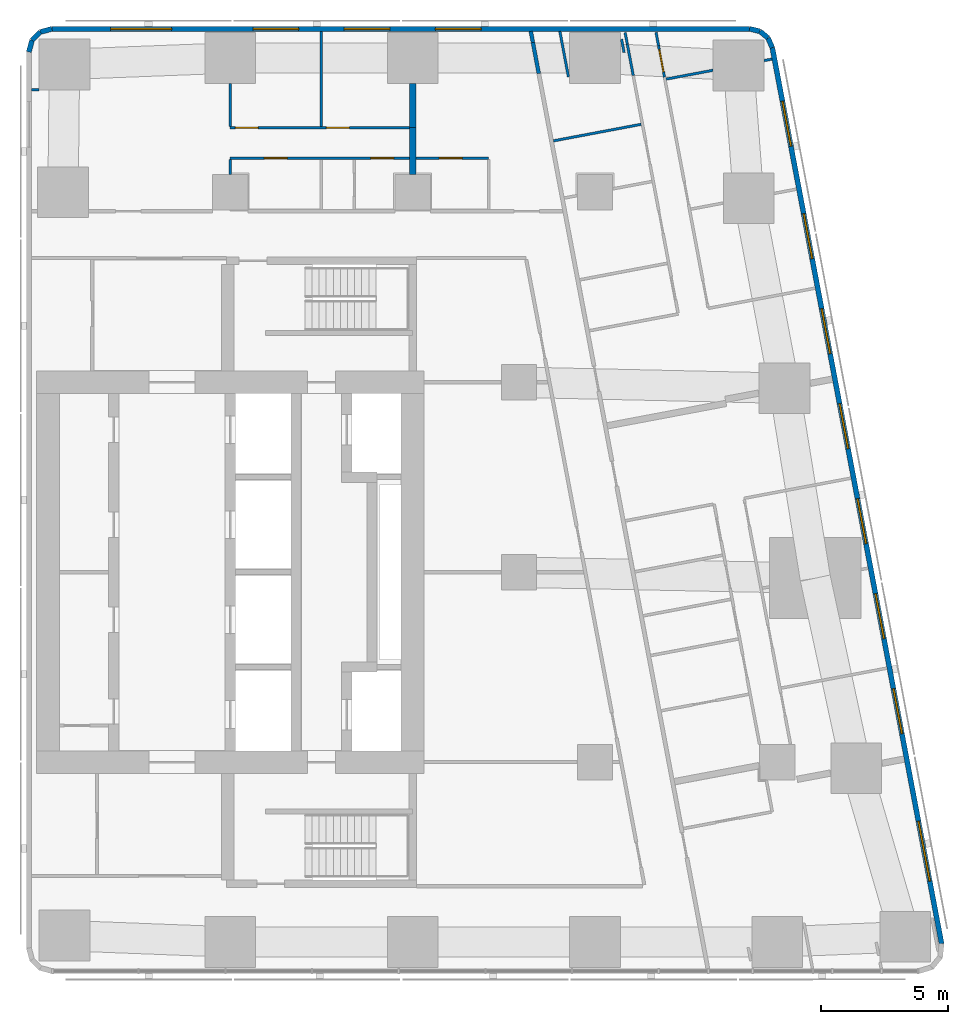
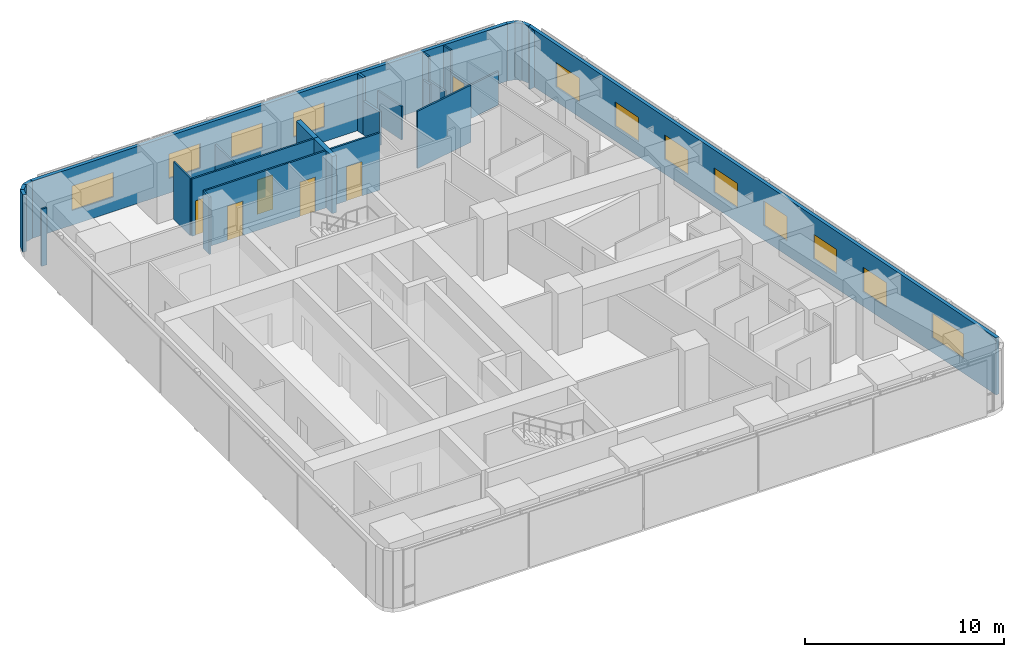
# One storey, part 8 of 11: 28 walls, 12 windows, 6 doors, 18 openings.
"""IFC4 building model written with IfcOpenShell, lengths in metres."""

from ifc_helpers import new_model, si_unit, direction, frame, frame_2d, origin, place, context, subcontext, project, spatial, rectangle, extrude, material, layer, layer_set, type_object, element, fill, save


model = new_model("IFC4")

# Units and contexts
model_context = context("Model", 3, precision=1e-05, world=origin(), true_north=direction((0.0, 1.0)))
body_context = subcontext(model_context, "Body", "Model", "MODEL_VIEW")
ifc_project = project(units=[si_unit("LENGTHUNIT", "METRE"), si_unit("AREAUNIT", "SQUARE_METRE"), si_unit("VOLUMEUNIT", "CUBIC_METRE"), si_unit("PLANEANGLEUNIT", "RADIAN"), si_unit("MASSUNIT", "GRAM", prefix="KILO")], contexts=[model_context])

# Site, building, storey
site_placement = place(None, origin())
site = spatial("IfcSite", under=ifc_project, at=site_placement, CompositionType="ELEMENT")
building_placement = place(site_placement, origin())
building = spatial("IfcBuilding", under=site, at=building_placement, Name="Sheger Commons Tower", CompositionType="ELEMENT")
storey_placement = place(building_placement, frame((0.0, 0.0, 281.60009765625)))
storey = spatial("IfcBuildingStorey", under=building, at=storey_placement, Name="L72", CompositionType="ELEMENT", Elevation=281.60009765625)

# Walls
ifc_material_1 = material(Name="Hollow concrete block masonry, skimmed both sides", Category="masonry")
ifc_layer_1 = layer(ifc_material_1, 0.14990234375)
ifc_layer_set_1 = layer_set([ifc_layer_1], Name="CORRIDOR WALL 150")
wall_type_1 = type_object("IfcWallType", Name="CORRIDOR WALL 150", PredefinedType="SOLIDWALL", material=ifc_layer_set_1)
wall_1_placement = place(storey_placement, frame((33.467041015625, 43.85009765625, 0.0), z_axis=(0.0, 0.0, 1.0), x_axis=(0.184886516626, -0.982759877066, 0.0)))
element("IfcWall", 1, at=wall_1_placement, inside=storey, type_object=wall_type_1, Name="Corridor wall L72", PredefinedType="SOLIDWALL", context=body_context, shape_type="SweptSolid", body=[
    extrude(rectangle(XDim=0.443603515625, YDim=0.14990234375, at=frame_2d((0.2216796875, 0.0))), origin(), (0.0, 0.0, 1.0), 3.5),
])
wall_2_placement = place(storey_placement, frame((33.549072265625, 43.4140625, 0.0), z_axis=(0.0, 0.0, 1.0), x_axis=(0.185585816539, -0.982628060204, 0.0)))
element("IfcWall", 2, at=wall_2_placement, inside=storey, type_object=wall_type_1, Name="Corridor wall L72", PredefinedType="SOLIDWALL", context=body_context, shape_type="SweptSolid", body=[
    extrude(rectangle(XDim=1.249755859375, YDim=0.14990234375, at=frame_2d((0.625, 0.0))), origin(), (0.0, 0.0, 1.0), 2.0498046875),
])
ifc_material_2 = material(Name="Dense concrete block masonry, plastered both sides (separating wall between flats)", Category="masonry")
ifc_layer_2 = layer(ifc_material_2, 0.25)
ifc_layer_set_2 = layer_set([ifc_layer_2], Name="DEMISING WALL 250")
wall_type_2 = type_object("IfcWallType", Name="DEMISING WALL 250", PredefinedType="SOLIDWALL", material=ifc_layer_set_2)
wall_3_placement = place(storey_placement, frame((28.800048828125, 40.050048828125, 0.0), z_axis=(0.0, 0.0, 1.0), x_axis=(0.0, 1.0, 0.0)))
element("IfcWall", 3, at=wall_3_placement, inside=storey, type_object=wall_type_2, Name="Demising wall L72", PredefinedType="SOLIDWALL", context=body_context, shape_type="SweptSolid", body=[
    extrude(rectangle(XDim=1.7490234375, YDim=0.25, at=frame_2d((0.87451171875, 0.0))), origin(), (0.0, 0.0, 1.0), 3.5),
])
wall_4_placement = place(storey_placement, frame((28.800048828125, 38.200927734375, 0.0), z_axis=(0.0, 0.0, 1.0), x_axis=(0.0, 1.0, 0.0)))
element("IfcWall", 4, at=wall_4_placement, inside=storey, type_object=wall_type_2, Name="Demising wall L72", PredefinedType="SOLIDWALL", context=body_context, shape_type="SweptSolid", body=[
    extrude(rectangle(XDim=1.84912109375, YDim=0.25, at=frame_2d((0.924560546875, 0.0))), origin(), (0.0, 0.0, 1.0), 3.5),
])

# Wall, openings, windows
ifc_material_3 = material(Name="Rendered concrete block masonry, dark grey", Category="masonry")
ifc_layer_3 = layer(ifc_material_3, 0.199951171875)
ifc_layer_set_3 = layer_set([ifc_layer_3], Name="FACADE WALL 200")
wall_type_3 = type_object("IfcWallType", Name="FACADE WALL 200", PredefinedType="SOLIDWALL", material=ifc_layer_set_3)
wall_5_placement = place(storey_placement, frame((49.68408203125, 7.83203125, 0.0), z_axis=(0.0, 0.0, 1.0), x_axis=(-0.185616669694, 0.982622232565, 0.0)))
wall_5 = element("IfcWall", 5, at=wall_5_placement, inside=storey, type_object=wall_type_3, Name="Facade wall L72", PredefinedType="SOLIDWALL", context=body_context, shape_type="SweptSolid", body=[
    extrude(rectangle(XDim=35.99951171875, YDim=0.199951171875, at=frame_2d((17.999755859375, 0.0))), origin(), (0.0, 0.0, 1.0), 3.5),
])
opening_1_placement = place(wall_5_placement, frame((2.51806640625, 0.0, 0.89990234375)))
opening_1 = element("IfcOpeningElement", 6, at=opening_1_placement, cuts=wall_5, Name="Opening W1", PredefinedType="OPENING", context=body_context, shape_type="SweptSolid", body=[
    extrude(rectangle(XDim=2.39990234375, YDim=1.5, at=frame_2d((1.199951171875, 0.75))), frame((0.0, 0.10986328125, 0.0), z_axis=(0.0, -1.0, 0.0), x_axis=(1.0, 0.0, 0.0)), (0.0, 0.0, 1.0), 0.219970703125),
])
opening_2_placement = place(wall_5_placement, frame((8.444091796875, 0.0, 0.89990234375)))
opening_2 = element("IfcOpeningElement", 7, at=opening_2_placement, cuts=wall_5, Name="Opening W2", PredefinedType="OPENING", context=body_context, shape_type="SweptSolid", body=[
    extrude(rectangle(XDim=1.800048828125, YDim=1.5, at=frame_2d((0.89990234375, 0.75))), frame((0.0, 0.10986328125, 0.0), z_axis=(0.0, -1.0, 0.0), x_axis=(1.0, 0.0, 0.0)), (0.0, 0.0, 1.0), 0.219970703125),
])
opening_3_placement = place(wall_5_placement, frame((12.260986328125, 0.0, 0.89990234375)))
opening_3 = element("IfcOpeningElement", 8, at=opening_3_placement, cuts=wall_5, Name="Opening W2", PredefinedType="OPENING", context=body_context, shape_type="SweptSolid", body=[
    extrude(rectangle(XDim=1.800048828125, YDim=1.5, at=frame_2d((0.89990234375, 0.75))), frame((0.0, 0.10986328125, 0.0), z_axis=(0.0, -1.0, 0.0), x_axis=(1.0, 0.0, 0.0)), (0.0, 0.0, 1.0), 0.219970703125),
])
opening_4_placement = place(wall_5_placement, frame((16.077880859375, 0.0, 0.89990234375)))
opening_4 = element("IfcOpeningElement", 9, at=opening_4_placement, cuts=wall_5, Name="Opening W2", PredefinedType="OPENING", context=body_context, shape_type="SweptSolid", body=[
    extrude(rectangle(XDim=1.800048828125, YDim=1.5, at=frame_2d((0.89990234375, 0.75))), frame((0.0, 0.10986328125, 0.0), z_axis=(0.0, -1.0, 0.0), x_axis=(1.0, 0.0, 0.0)), (0.0, 0.0, 1.0), 0.219970703125),
])
opening_5_placement = place(wall_5_placement, frame((19.89404296875, 0.0, 0.89990234375)))
opening_5 = element("IfcOpeningElement", 10, at=opening_5_placement, cuts=wall_5, Name="Opening W2", PredefinedType="OPENING", context=body_context, shape_type="SweptSolid", body=[
    extrude(rectangle(XDim=1.800048828125, YDim=1.5, at=frame_2d((0.89990234375, 0.75))), frame((0.0, 0.10986328125, 0.0), z_axis=(0.0, -1.0, 0.0), x_axis=(1.0, 0.0, 0.0)), (0.0, 0.0, 1.0), 0.219970703125),
])
opening_6_placement = place(wall_5_placement, frame((23.7099609375, 0.0, 0.89990234375)))
opening_6 = element("IfcOpeningElement", 11, at=opening_6_placement, cuts=wall_5, Name="Opening W2", PredefinedType="OPENING", context=body_context, shape_type="SweptSolid", body=[
    extrude(rectangle(XDim=1.800048828125, YDim=1.5, at=frame_2d((0.89990234375, 0.75))), frame((0.0, 0.10986328125, 0.0), z_axis=(0.0, -1.0, 0.0), x_axis=(1.0, 0.0, 0.0)), (0.0, 0.0, 1.0), 0.219970703125),
])
opening_7_placement = place(wall_5_placement, frame((27.52587890625, 0.0, 0.89990234375)))
opening_7 = element("IfcOpeningElement", 12, at=opening_7_placement, cuts=wall_5, Name="Opening W2", PredefinedType="OPENING", context=body_context, shape_type="SweptSolid", body=[
    extrude(rectangle(XDim=1.800048828125, YDim=1.5, at=frame_2d((0.89990234375, 0.75))), frame((0.0, 0.10986328125, 0.0), z_axis=(0.0, -1.0, 0.0), x_axis=(1.0, 0.0, 0.0)), (0.0, 0.0, 1.0), 0.219970703125),
])
opening_8_placement = place(wall_5_placement, frame((32.0458984375, 0.0, 0.89990234375)))
opening_8 = element("IfcOpeningElement", 13, at=opening_8_placement, cuts=wall_5, Name="Opening W2", PredefinedType="OPENING", context=body_context, shape_type="SweptSolid", body=[
    extrude(rectangle(XDim=1.800048828125, YDim=1.5, at=frame_2d((0.89990234375, 0.75))), frame((0.0, 0.10986328125, 0.0), z_axis=(0.0, -1.0, 0.0), x_axis=(1.0, 0.0, 0.0)), (0.0, 0.0, 1.0), 0.219970703125),
])
ifc_material_4 = material(Name="Black aluminium frame, dark tinted double glazing", Category="aluminium")
window_type_1 = type_object("IfcWindowType", Name="WINDOW W1 2400x1500", PartitioningType="SINGLE_PANEL", PredefinedType="WINDOW", material=ifc_material_4)
window_1_placement = place(opening_1_placement, origin())
window_1 = element("IfcWindow", 14, at=window_1_placement, inside=storey, type_object=window_type_1, Name="Window W1 2400X1500", OverallHeight=1.5, OverallWidth=2.39990234375, PartitioningType="SINGLE_PANEL", PredefinedType="WINDOW", context=body_context, shape_type="SweptSolid", body=[
    extrude(rectangle(XDim=2.39990234375, YDim=1.5, at=frame_2d((1.199951171875, 0.75))), frame((0.0, 0.030029296875, 0.0), z_axis=(0.0, -1.0, 0.0), x_axis=(1.0, 0.0, 0.0)), (0.0, 0.0, 1.0), 0.06005859375),
])
fill(opening_1, window_1)
ifc_material_5 = material(Name="Black aluminium frame, dark tinted double glazing", Category="aluminium")
window_type_2 = type_object("IfcWindowType", Name="WINDOW W2 1800x1500", PartitioningType="SINGLE_PANEL", PredefinedType="WINDOW", material=ifc_material_5)
window_2_placement = place(opening_2_placement, origin())
window_2 = element("IfcWindow", 15, at=window_2_placement, inside=storey, type_object=window_type_2, Name="Window W2 1800X1500", OverallHeight=1.5, OverallWidth=1.800048828125, PartitioningType="SINGLE_PANEL", PredefinedType="WINDOW", context=body_context, shape_type="SweptSolid", body=[
    extrude(rectangle(XDim=1.800048828125, YDim=1.5, at=frame_2d((0.89990234375, 0.75))), frame((0.0, 0.030029296875, 0.0), z_axis=(0.0, -1.0, 0.0), x_axis=(1.0, 0.0, 0.0)), (0.0, 0.0, 1.0), 0.06005859375),
])
fill(opening_2, window_2)
window_3_placement = place(opening_3_placement, origin())
window_3 = element("IfcWindow", 16, at=window_3_placement, inside=storey, type_object=window_type_2, Name="Window W2 1800X1500", OverallHeight=1.5, OverallWidth=1.800048828125, PartitioningType="SINGLE_PANEL", PredefinedType="WINDOW", context=body_context, shape_type="SweptSolid", body=[
    extrude(rectangle(XDim=1.800048828125, YDim=1.5, at=frame_2d((0.89990234375, 0.75))), frame((0.0, 0.030029296875, 0.0), z_axis=(0.0, -1.0, 0.0), x_axis=(1.0, 0.0, 0.0)), (0.0, 0.0, 1.0), 0.06005859375),
])
fill(opening_3, window_3)
window_4_placement = place(opening_4_placement, origin())
window_4 = element("IfcWindow", 17, at=window_4_placement, inside=storey, type_object=window_type_2, Name="Window W2 1800X1500", OverallHeight=1.5, OverallWidth=1.800048828125, PartitioningType="SINGLE_PANEL", PredefinedType="WINDOW", context=body_context, shape_type="SweptSolid", body=[
    extrude(rectangle(XDim=1.800048828125, YDim=1.5, at=frame_2d((0.89990234375, 0.75))), frame((0.0, 0.030029296875, 0.0), z_axis=(0.0, -1.0, 0.0), x_axis=(1.0, 0.0, 0.0)), (0.0, 0.0, 1.0), 0.06005859375),
])
fill(opening_4, window_4)
window_5_placement = place(opening_5_placement, origin())
window_5 = element("IfcWindow", 18, at=window_5_placement, inside=storey, type_object=window_type_2, Name="Window W2 1800X1500", OverallHeight=1.5, OverallWidth=1.800048828125, PartitioningType="SINGLE_PANEL", PredefinedType="WINDOW", context=body_context, shape_type="SweptSolid", body=[
    extrude(rectangle(XDim=1.800048828125, YDim=1.5, at=frame_2d((0.89990234375, 0.75))), frame((0.0, 0.030029296875, 0.0), z_axis=(0.0, -1.0, 0.0), x_axis=(1.0, 0.0, 0.0)), (0.0, 0.0, 1.0), 0.06005859375),
])
fill(opening_5, window_5)
window_6_placement = place(opening_6_placement, origin())
window_6 = element("IfcWindow", 19, at=window_6_placement, inside=storey, type_object=window_type_2, Name="Window W2 1800X1500", OverallHeight=1.5, OverallWidth=1.800048828125, PartitioningType="SINGLE_PANEL", PredefinedType="WINDOW", context=body_context, shape_type="SweptSolid", body=[
    extrude(rectangle(XDim=1.800048828125, YDim=1.5, at=frame_2d((0.89990234375, 0.75))), frame((0.0, 0.030029296875, 0.0), z_axis=(0.0, -1.0, 0.0), x_axis=(1.0, 0.0, 0.0)), (0.0, 0.0, 1.0), 0.06005859375),
])
fill(opening_6, window_6)
window_7_placement = place(opening_7_placement, origin())
window_7 = element("IfcWindow", 20, at=window_7_placement, inside=storey, type_object=window_type_2, Name="Window W2 1800X1500", OverallHeight=1.5, OverallWidth=1.800048828125, PartitioningType="SINGLE_PANEL", PredefinedType="WINDOW", context=body_context, shape_type="SweptSolid", body=[
    extrude(rectangle(XDim=1.800048828125, YDim=1.5, at=frame_2d((0.89990234375, 0.75))), frame((0.0, 0.030029296875, 0.0), z_axis=(0.0, -1.0, 0.0), x_axis=(1.0, 0.0, 0.0)), (0.0, 0.0, 1.0), 0.06005859375),
])
fill(opening_7, window_7)
window_8_placement = place(opening_8_placement, origin())
window_8 = element("IfcWindow", 21, at=window_8_placement, inside=storey, type_object=window_type_2, Name="Window W2 1800X1500", OverallHeight=1.5, OverallWidth=1.800048828125, PartitioningType="SINGLE_PANEL", PredefinedType="WINDOW", context=body_context, shape_type="SweptSolid", body=[
    extrude(rectangle(XDim=1.800048828125, YDim=1.5, at=frame_2d((0.89990234375, 0.75))), frame((0.0, 0.030029296875, 0.0), z_axis=(0.0, -1.0, 0.0), x_axis=(1.0, 0.0, 0.0)), (0.0, 0.0, 1.0), 0.06005859375),
])
fill(opening_8, window_8)

# Walls
wall_6_placement = place(storey_placement, frame((43.001953125, 43.2060546875, 0.0), z_axis=(0.0, 0.0, 1.0), x_axis=(-0.40678170573, 0.913525393124, 0.0)))
element("IfcWall", 22, at=wall_6_placement, inside=storey, type_object=wall_type_3, Name="Facade wall L72", PredefinedType="SOLIDWALL", context=body_context, shape_type="SweptSolid", body=[
    extrude(rectangle(XDim=0.422607421875, YDim=0.199951171875, at=frame_2d((0.21142578125, 0.0))), origin(), (0.0, 0.0, 1.0), 3.5),
])
wall_7_placement = place(storey_placement, frame((42.830078125, 43.592041015625, 0.0), z_axis=(0.0, 0.0, 1.0), x_axis=(-0.771190539797, 0.636604391539, 0.0)))
element("IfcWall", 23, at=wall_7_placement, inside=storey, type_object=wall_type_3, Name="Facade wall L72", PredefinedType="SOLIDWALL", context=body_context, shape_type="SweptSolid", body=[
    extrude(rectangle(XDim=0.409912109375, YDim=0.199951171875, at=frame_2d((0.205078125, 0.0))), origin(), (0.0, 0.0, 1.0), 3.5),
])
wall_8_placement = place(storey_placement, frame((42.513916015625, 43.85302734375, 0.0), z_axis=(0.0, 0.0, 1.0), x_axis=(-0.973288080424, 0.229587265555, 0.0)))
element("IfcWall", 24, at=wall_8_placement, inside=storey, type_object=wall_type_3, Name="Facade wall L72", PredefinedType="SOLIDWALL", context=body_context, shape_type="SweptSolid", body=[
    extrude(rectangle(XDim=0.422119140625, YDim=0.199951171875, at=frame_2d((0.2109375, 0.0))), origin(), (0.0, 0.0, 1.0), 3.5),
])

# Wall, openings, windows
wall_9_placement = place(storey_placement, frame((42.10302734375, 43.949951171875, 0.0), z_axis=(0.0, 0.0, 1.0), x_axis=(-1.0, 0.0, 0.0)))
wall_9 = element("IfcWall", 25, at=wall_9_placement, inside=storey, type_object=wall_type_3, Name="Facade wall L72", PredefinedType="SOLIDWALL", context=body_context, shape_type="SweptSolid", body=[
    extrude(rectangle(XDim=27.5400390625, YDim=0.199951171875, at=frame_2d((13.77001953125, 0.0))), origin(), (0.0, 0.0, 1.0), 3.5),
])
opening_9_placement = place(wall_9_placement, frame((10.60302734375, 0.0, 0.89990234375)))
opening_9 = element("IfcOpeningElement", 26, at=opening_9_placement, cuts=wall_9, Name="Opening W2", PredefinedType="OPENING", context=body_context, shape_type="SweptSolid", body=[
    extrude(rectangle(XDim=1.800048828125, YDim=1.5, at=frame_2d((0.89990234375, 0.75))), frame((0.0, 0.10986328125, 0.0), z_axis=(0.0, -1.0, 0.0), x_axis=(1.0, 0.0, 0.0)), (0.0, 0.0, 1.0), 0.219970703125),
])
opening_10_placement = place(wall_9_placement, frame((14.202880859375, 0.0, 0.89990234375)))
opening_10 = element("IfcOpeningElement", 27, at=opening_10_placement, cuts=wall_9, Name="Opening W2", PredefinedType="OPENING", context=body_context, shape_type="SweptSolid", body=[
    extrude(rectangle(XDim=1.800048828125, YDim=1.5, at=frame_2d((0.89990234375, 0.75))), frame((0.0, 0.10986328125, 0.0), z_axis=(0.0, -1.0, 0.0), x_axis=(1.0, 0.0, 0.0)), (0.0, 0.0, 1.0), 0.219970703125),
])
opening_11_placement = place(wall_9_placement, frame((17.802978515625, 0.0, 0.89990234375)))
opening_11 = element("IfcOpeningElement", 28, at=opening_11_placement, cuts=wall_9, Name="Opening W2", PredefinedType="OPENING", context=body_context, shape_type="SweptSolid", body=[
    extrude(rectangle(XDim=1.800048828125, YDim=1.5, at=frame_2d((0.89990234375, 0.75))), frame((0.0, 0.10986328125, 0.0), z_axis=(0.0, -1.0, 0.0), x_axis=(1.0, 0.0, 0.0)), (0.0, 0.0, 1.0), 0.219970703125),
])
opening_12_placement = place(wall_9_placement, frame((22.822021484375, 0.0, 0.89990234375)))
opening_12 = element("IfcOpeningElement", 29, at=opening_12_placement, cuts=wall_9, Name="Opening W1", PredefinedType="OPENING", context=body_context, shape_type="SweptSolid", body=[
    extrude(rectangle(XDim=2.39990234375, YDim=1.5, at=frame_2d((1.199951171875, 0.75))), frame((0.0, 0.10986328125, 0.0), z_axis=(0.0, -1.0, 0.0), x_axis=(1.0, 0.0, 0.0)), (0.0, 0.0, 1.0), 0.219970703125),
])
window_9_placement = place(opening_12_placement, origin())
window_9 = element("IfcWindow", 30, at=window_9_placement, inside=storey, type_object=window_type_1, Name="Window W1 2400X1500", OverallHeight=1.5, OverallWidth=2.39990234375, PartitioningType="SINGLE_PANEL", PredefinedType="WINDOW", context=body_context, shape_type="SweptSolid", body=[
    extrude(rectangle(XDim=2.39990234375, YDim=1.5, at=frame_2d((1.199951171875, 0.75))), frame((0.0, 0.030029296875, 0.0), z_axis=(0.0, -1.0, 0.0), x_axis=(1.0, 0.0, 0.0)), (0.0, 0.0, 1.0), 0.06005859375),
])
fill(opening_12, window_9)
window_10_placement = place(opening_9_placement, origin())
window_10 = element("IfcWindow", 31, at=window_10_placement, inside=storey, type_object=window_type_2, Name="Window W2 1800X1500", OverallHeight=1.5, OverallWidth=1.800048828125, PartitioningType="SINGLE_PANEL", PredefinedType="WINDOW", context=body_context, shape_type="SweptSolid", body=[
    extrude(rectangle(XDim=1.800048828125, YDim=1.5, at=frame_2d((0.89990234375, 0.75))), frame((0.0, 0.030029296875, 0.0), z_axis=(0.0, -1.0, 0.0), x_axis=(1.0, 0.0, 0.0)), (0.0, 0.0, 1.0), 0.06005859375),
])
fill(opening_9, window_10)
window_11_placement = place(opening_10_placement, origin())
window_11 = element("IfcWindow", 32, at=window_11_placement, inside=storey, type_object=window_type_2, Name="Window W2 1800X1500", OverallHeight=1.5, OverallWidth=1.800048828125, PartitioningType="SINGLE_PANEL", PredefinedType="WINDOW", context=body_context, shape_type="SweptSolid", body=[
    extrude(rectangle(XDim=1.800048828125, YDim=1.5, at=frame_2d((0.89990234375, 0.75))), frame((0.0, 0.030029296875, 0.0), z_axis=(0.0, -1.0, 0.0), x_axis=(1.0, 0.0, 0.0)), (0.0, 0.0, 1.0), 0.06005859375),
])
fill(opening_10, window_11)
window_12_placement = place(opening_11_placement, origin())
window_12 = element("IfcWindow", 33, at=window_12_placement, inside=storey, type_object=window_type_2, Name="Window W2 1800X1500", OverallHeight=1.5, OverallWidth=1.800048828125, PartitioningType="SINGLE_PANEL", PredefinedType="WINDOW", context=body_context, shape_type="SweptSolid", body=[
    extrude(rectangle(XDim=1.800048828125, YDim=1.5, at=frame_2d((0.89990234375, 0.75))), frame((0.0, 0.030029296875, 0.0), z_axis=(0.0, -1.0, 0.0), x_axis=(1.0, 0.0, 0.0)), (0.0, 0.0, 1.0), 0.06005859375),
])
fill(opening_11, window_12)

# Walls
wall_10_placement = place(storey_placement, frame((14.56298828125, 43.949951171875, 0.0), z_axis=(0.0, 0.0, 1.0), x_axis=(-0.965655254015, -0.259826731483, 0.0)))
element("IfcWall", 34, at=wall_10_placement, inside=storey, type_object=wall_type_3, Name="Facade wall L72", PredefinedType="SOLIDWALL", context=body_context, shape_type="SweptSolid", body=[
    extrude(rectangle(XDim=0.477294921875, YDim=0.199951171875, at=frame_2d((0.23876953125, 0.0))), origin(), (0.0, 0.0, 1.0), 3.5),
])
wall_11_placement = place(storey_placement, frame((14.10205078125, 43.825927734375, 0.0), z_axis=(0.0, 0.0, 1.0), x_axis=(-0.707369890659, -0.706843573776, 0.0)))
element("IfcWall", 35, at=wall_11_placement, inside=storey, type_object=wall_type_3, Name="Facade wall L72", PredefinedType="SOLIDWALL", context=body_context, shape_type="SweptSolid", body=[
    extrude(rectangle(XDim=0.4638671875, YDim=0.199951171875, at=frame_2d((0.23193359375, 0.0))), origin(), (0.0, 0.0, 1.0), 3.5),
])
wall_12_placement = place(storey_placement, frame((13.77392578125, 43.498046875, 0.0), z_axis=(0.0, 0.0, 1.0), x_axis=(-0.259826731483, -0.965655254015, 0.0)))
element("IfcWall", 36, at=wall_12_placement, inside=storey, type_object=wall_type_3, Name="Facade wall L72", PredefinedType="SOLIDWALL", context=body_context, shape_type="SweptSolid", body=[
    extrude(rectangle(XDim=0.477294921875, YDim=0.199951171875, at=frame_2d((0.23876953125, 0.0))), origin(), (0.0, 0.0, 1.0), 3.5),
])
ifc_material_6 = material(Name="Gypsum board on steel studs", Category="steel")
ifc_layer_4 = layer(ifc_material_6, 0.10009765625)
ifc_layer_set_4 = layer_set([ifc_layer_4], Name="PARTITION 100")
wall_type_4 = type_object("IfcWallType", Name="PARTITION 100", PredefinedType="PARTITIONING", material=ifc_layer_set_4)
wall_13_placement = place(storey_placement, frame((34.951904296875, 42.054931640625, 0.0), z_axis=(0.0, 0.0, 1.0), x_axis=(-0.185490642006, 0.98264603074, 0.0)))
element("IfcWall", 37, at=wall_13_placement, inside=storey, type_object=wall_type_4, Name="Partition L72", PredefinedType="PARTITIONING", context=body_context, shape_type="SweptSolid", body=[
    extrude(rectangle(XDim=1.826904296875, YDim=0.10009765625, at=frame_2d((0.91357421875, 0.0))), origin(), (0.0, 0.0, 1.0), 2.0498046875),
])
wall_14_placement = place(storey_placement, frame((37.049072265625, 43.5390625, 0.0), z_axis=(0.0, 0.0, 1.0), x_axis=(0.186119495745, -0.982527115811, 0.0)))
element("IfcWall", 38, at=wall_14_placement, inside=storey, type_object=wall_type_4, Name="Partition L72", PredefinedType="PARTITIONING", context=body_context, shape_type="SweptSolid", body=[
    extrude(rectangle(XDim=0.53125, YDim=0.10009765625, at=frame_2d((0.265625, 0.0))), origin(), (0.0, 0.0, 1.0), 2.0498046875),
])
wall_15_placement = place(storey_placement, frame((38.409912109375, 43.81103515625, 0.0), z_axis=(0.0, 0.0, 1.0), x_axis=(0.185903499302, -0.982568007289, 0.0)))
element("IfcWall", 39, at=wall_15_placement, inside=storey, type_object=wall_type_4, Name="Partition L72", PredefinedType="PARTITIONING", context=body_context, shape_type="SweptSolid", body=[
    extrude(rectangle(XDim=0.538330078125, YDim=0.10009765625, at=frame_2d((0.26904296875, 0.0))), origin(), (0.0, 0.0, 1.0), 3.5),
])

# Wall, opening, door
wall_16_placement = place(storey_placement, frame((38.510009765625, 43.281982421875, 0.0), z_axis=(0.0, 0.0, 1.0), x_axis=(0.185775287495, -0.982592256511, 0.0)))
wall_16 = element("IfcWall", 40, at=wall_16_placement, inside=storey, type_object=wall_type_4, Name="Partition L72", PredefinedType="PARTITIONING", context=body_context, shape_type="SweptSolid", body=[
    extrude(rectangle(XDim=1.259033203125, YDim=0.10009765625, at=frame_2d((0.62939453125, 0.0))), origin(), (0.0, 0.0, 1.0), 2.0498046875),
])
opening_13_placement = place(wall_16_placement, frame((0.14990234375, 0.0, 0.0)))
opening_13 = element("IfcOpeningElement", 41, at=opening_13_placement, cuts=wall_16, Name="Opening D11", PredefinedType="OPENING", context=body_context, shape_type="SweptSolid", body=[
    extrude(rectangle(XDim=0.89990234375, YDim=2.0, at=frame_2d((0.449951171875, 1.0))), frame((0.0, 0.06005859375, 0.0), z_axis=(0.0, -1.0, 0.0), x_axis=(1.0, 0.0, 0.0)), (0.0, 0.0, 1.0), 0.1201171875),
])
ifc_material_7 = material(Name="Timber door set", Category="wood")
door_type_1 = type_object("IfcDoorType", Name="INTERNAL DOOR 900x2000", OperationType="NOTDEFINED", PredefinedType="DOOR", material=ifc_material_7)
door_1_placement = place(opening_13_placement, origin())
door_1 = element("IfcDoor", 42, at=door_1_placement, inside=storey, type_object=door_type_1, Name="Dressing room door", OperationType="SINGLE_SWING_LEFT", OverallHeight=2.0, OverallWidth=0.89990234375, PredefinedType="DOOR", context=body_context, shape_type="SweptSolid", body=[
    extrude(rectangle(XDim=0.89990234375, YDim=2.0, at=frame_2d((0.449951171875, 1.0))), frame((0.0, 0.02490234375, 0.0), z_axis=(0.0, -1.0, 0.0), x_axis=(1.0, 0.0, 0.0)), (0.0, 0.0, 1.0), 0.050048828125),
])
fill(opening_13, door_1)

# Walls
wall_17_placement = place(storey_placement, frame((37.18994140625, 43.802978515625, 0.0), z_axis=(0.0, 0.0, 1.0), x_axis=(0.18479566844, -0.982776963978, 0.0)))
element("IfcWall", 43, at=wall_17_placement, inside=storey, type_object=wall_type_4, Name="Partition L72", PredefinedType="PARTITIONING", context=body_context, shape_type="SweptSolid", body=[
    extrude(rectangle(XDim=0.465087890625, YDim=0.10009765625, at=frame_2d((0.232421875, 0.0))), origin(), (0.0, 0.0, 1.0), 3.5),
])
wall_18_placement = place(storey_placement, frame((37.27587890625, 43.345947265625, 0.0), z_axis=(0.0, 0.0, 1.0), x_axis=(0.185962504646, -0.982556841544, 0.0)))
element("IfcWall", 44, at=wall_18_placement, inside=storey, type_object=wall_type_4, Name="Partition L72", PredefinedType="PARTITIONING", context=body_context, shape_type="SweptSolid", body=[
    extrude(rectangle(XDim=1.259033203125, YDim=0.10009765625, at=frame_2d((0.62939453125, 0.0))), origin(), (0.0, 0.0, 1.0), 2.0498046875),
])
wall_19_placement = place(storey_placement, frame((42.985107421875, 42.7548828125, 0.0), z_axis=(0.0, 0.0, 1.0), x_axis=(-0.98281924824, -0.184570651215, 0.0)))
element("IfcWall", 45, at=wall_19_placement, inside=storey, type_object=wall_type_4, Name="Partition L72", PredefinedType="PARTITIONING", context=body_context, shape_type="SweptSolid", body=[
    extrude(rectangle(XDim=0.3134765625, YDim=0.10009765625, at=frame_2d((0.15673828125, 0.0))), origin(), (0.0, 0.0, 1.0), 3.5),
])
wall_20_placement = place(storey_placement, frame((40.656982421875, 42.31494140625, 0.0), z_axis=(0.0, 0.0, 1.0), x_axis=(-0.982640672055, -0.185519027661, 0.0)))
element("IfcWall", 46, at=wall_20_placement, inside=storey, type_object=wall_type_4, Name="Partition L72", PredefinedType="PARTITIONING", context=body_context, shape_type="SweptSolid", body=[
    extrude(rectangle(XDim=1.880615234375, YDim=0.10009765625, at=frame_2d((0.9404296875, 0.0))), origin(), (0.0, 0.0, 1.0), 2.0498046875),
])
wall_21_placement = place(storey_placement, frame((37.822998046875, 40.181884765625, 0.0), z_axis=(0.0, 0.0, 1.0), x_axis=(-0.98263926043, -0.185526504472, 0.0)))
element("IfcWall", 47, at=wall_21_placement, inside=storey, type_object=wall_type_4, Name="Partition L72", PredefinedType="PARTITIONING", context=body_context, shape_type="SweptSolid", body=[
    extrude(rectangle(XDim=3.524169921875, YDim=0.10009765625, at=frame_2d((1.76220703125, 0.0))), origin(), (0.0, 0.0, 1.0), 3.5),
])
wall_22_placement = place(storey_placement, frame((14.053955078125, 41.5458984375, 0.0), z_axis=(0.0, 0.0, 1.0), x_axis=(-1.0, 0.0, 0.0)))
element("IfcWall", 48, at=wall_22_placement, inside=storey, type_object=wall_type_4, Name="Partition L72", PredefinedType="PARTITIONING", context=body_context, shape_type="SweptSolid", body=[
    extrude(rectangle(XDim=0.303955078125, YDim=0.10009765625, at=frame_2d((0.15185546875, 0.0))), origin(), (0.0, 0.0, 1.0), 3.5),
])

# Wall, openings, doors
wall_23_placement = place(storey_placement, frame((21.60009765625, 40.050048828125, 0.0), z_axis=(0.0, 0.0, 1.0), x_axis=(1.0, 0.0, 0.0)))
wall_23 = element("IfcWall", 49, at=wall_23_placement, inside=storey, type_object=wall_type_4, Name="Partition L72", PredefinedType="PARTITIONING", context=body_context, shape_type="SweptSolid", body=[
    extrude(rectangle(XDim=7.074951171875, YDim=0.10009765625, at=frame_2d((3.53759765625, 0.0))), origin(), (0.0, 0.0, 1.0), 3.5),
])
opening_14_placement = place(wall_23_placement, frame((0.199951171875, 0.0, 0.0)))
opening_14 = element("IfcOpeningElement", 50, at=opening_14_placement, cuts=wall_23, Name="Opening D2", PredefinedType="OPENING", context=body_context, shape_type="SweptSolid", body=[
    extrude(rectangle(XDim=0.89990234375, YDim=2.10009765625, at=frame_2d((0.449951171875, 1.050048828125))), frame((0.0, 0.06005859375, 0.0), z_axis=(0.0, -1.0, 0.0), x_axis=(1.0, 0.0, 0.0)), (0.0, 0.0, 1.0), 0.1201171875),
])
opening_15_placement = place(wall_23_placement, frame((3.800048828125, 0.0, 0.0)))
opening_15 = element("IfcOpeningElement", 51, at=opening_15_placement, cuts=wall_23, Name="Opening D2", PredefinedType="OPENING", context=body_context, shape_type="SweptSolid", body=[
    extrude(rectangle(XDim=0.89990234375, YDim=2.10009765625, at=frame_2d((0.449951171875, 1.050048828125))), frame((0.0, 0.06005859375, 0.0), z_axis=(0.0, -1.0, 0.0), x_axis=(1.0, 0.0, 0.0)), (0.0, 0.0, 1.0), 0.1201171875),
])
ifc_material_8 = material(Name="Timber door set", Category="wood")
door_type_2 = type_object("IfcDoorType", Name="INTERNAL DOOR 900x2100", OperationType="NOTDEFINED", PredefinedType="DOOR", material=ifc_material_8)
door_2_placement = place(opening_14_placement, origin())
door_2 = element("IfcDoor", 52, at=door_2_placement, inside=storey, type_object=door_type_2, Name="Main bedroom door", OperationType="SINGLE_SWING_LEFT", OverallHeight=2.10009765625, OverallWidth=0.89990234375, PredefinedType="DOOR", context=body_context, shape_type="SweptSolid", body=[
    extrude(rectangle(XDim=0.89990234375, YDim=2.10009765625, at=frame_2d((0.449951171875, 1.050048828125))), frame((0.0, 0.02490234375, 0.0), z_axis=(0.0, -1.0, 0.0), x_axis=(1.0, 0.0, 0.0)), (0.0, 0.0, 1.0), 0.050048828125),
])
fill(opening_14, door_2)
door_3_placement = place(opening_15_placement, origin())
door_3 = element("IfcDoor", 53, at=door_3_placement, inside=storey, type_object=door_type_2, Name="Bedroom 2 door", OperationType="SINGLE_SWING_LEFT", OverallHeight=2.10009765625, OverallWidth=0.89990234375, PredefinedType="DOOR", context=body_context, shape_type="SweptSolid", body=[
    extrude(rectangle(XDim=0.89990234375, YDim=2.10009765625, at=frame_2d((0.449951171875, 1.050048828125))), frame((0.0, 0.02490234375, 0.0), z_axis=(0.0, -1.0, 0.0), x_axis=(1.0, 0.0, 0.0)), (0.0, 0.0, 1.0), 0.050048828125),
])
fill(opening_15, door_3)

wall_24_placement = place(storey_placement, frame((21.60009765625, 38.85009765625, 0.0), z_axis=(0.0, 0.0, 1.0), x_axis=(1.0, 0.0, 0.0)))
wall_24 = element("IfcWall", 54, at=wall_24_placement, inside=storey, type_object=wall_type_4, Name="Partition L72", PredefinedType="PARTITIONING", context=body_context, shape_type="SweptSolid", body=[
    extrude(rectangle(XDim=7.074951171875, YDim=0.10009765625, at=frame_2d((3.53759765625, 0.0))), origin(), (0.0, 0.0, 1.0), 3.5),
])
opening_16_placement = place(wall_24_placement, frame((1.35009765625, 0.0, 0.0)))
opening_16 = element("IfcOpeningElement", 55, at=opening_16_placement, cuts=wall_24, Name="Opening D2", PredefinedType="OPENING", context=body_context, shape_type="SweptSolid", body=[
    extrude(rectangle(XDim=0.89990234375, YDim=2.10009765625, at=frame_2d((0.449951171875, 1.050048828125))), frame((0.0, 0.06005859375, 0.0), z_axis=(0.0, -1.0, 0.0), x_axis=(1.0, 0.0, 0.0)), (0.0, 0.0, 1.0), 0.1201171875),
])
opening_17_placement = place(wall_24_placement, frame((5.550048828125, 0.0, 0.0)))
opening_17 = element("IfcOpeningElement", 56, at=opening_17_placement, cuts=wall_24, Name="Opening D2", PredefinedType="OPENING", context=body_context, shape_type="SweptSolid", body=[
    extrude(rectangle(XDim=0.89990234375, YDim=2.10009765625, at=frame_2d((0.449951171875, 1.050048828125))), frame((0.0, 0.06005859375, 0.0), z_axis=(0.0, -1.0, 0.0), x_axis=(1.0, 0.0, 0.0)), (0.0, 0.0, 1.0), 0.1201171875),
])
door_4_placement = place(opening_16_placement, origin())
door_4 = element("IfcDoor", 57, at=door_4_placement, inside=storey, type_object=door_type_2, Name="Bathroom door", OperationType="SINGLE_SWING_RIGHT", OverallHeight=2.10009765625, OverallWidth=0.89990234375, PredefinedType="DOOR", context=body_context, shape_type="SweptSolid", body=[
    extrude(rectangle(XDim=0.89990234375, YDim=2.10009765625, at=frame_2d((0.449951171875, 1.050048828125))), frame((0.0, 0.02490234375, 0.0), z_axis=(0.0, -1.0, 0.0), x_axis=(1.0, 0.0, 0.0)), (0.0, 0.0, 1.0), 0.050048828125),
])
fill(opening_16, door_4)
door_5_placement = place(opening_17_placement, origin())
door_5 = element("IfcDoor", 58, at=door_5_placement, inside=storey, type_object=door_type_2, Name="Shower room door", OperationType="SINGLE_SWING_LEFT", OverallHeight=2.10009765625, OverallWidth=0.89990234375, PredefinedType="DOOR", context=body_context, shape_type="SweptSolid", body=[
    extrude(rectangle(XDim=0.89990234375, YDim=2.10009765625, at=frame_2d((0.449951171875, 1.050048828125))), frame((0.0, 0.02490234375, 0.0), z_axis=(0.0, -1.0, 0.0), x_axis=(1.0, 0.0, 0.0)), (0.0, 0.0, 1.0), 0.050048828125),
])
fill(opening_17, door_5)

# Walls
wall_25_placement = place(storey_placement, frame((21.60009765625, 40.10009765625, 0.0), z_axis=(0.0, 0.0, 1.0), x_axis=(0.0, 1.0, 0.0)))
element("IfcWall", 59, at=wall_25_placement, inside=storey, type_object=wall_type_4, Name="Partition L72", PredefinedType="PARTITIONING", context=body_context, shape_type="SweptSolid", body=[
    extrude(rectangle(XDim=1.698974609375, YDim=0.10009765625, at=frame_2d((0.849609375, 0.0))), origin(), (0.0, 0.0, 1.0), 3.5),
])
wall_26_placement = place(storey_placement, frame((25.199951171875, 40.10009765625, 0.0), z_axis=(0.0, 0.0, 1.0), x_axis=(0.0, 1.0, 0.0)))
element("IfcWall", 60, at=wall_26_placement, inside=storey, type_object=wall_type_4, Name="Partition L72", PredefinedType="PARTITIONING", context=body_context, shape_type="SweptSolid", body=[
    extrude(rectangle(XDim=3.75, YDim=0.10009765625, at=frame_2d((1.875, 0.0))), origin(), (0.0, 0.0, 1.0), 2.0498046875),
])
wall_27_placement = place(storey_placement, frame((21.60009765625, 38.200927734375, 0.0), z_axis=(0.0, 0.0, 1.0), x_axis=(0.0, 1.0, 0.0)))
element("IfcWall", 61, at=wall_27_placement, inside=storey, type_object=wall_type_4, Name="Partition L72", PredefinedType="PARTITIONING", context=body_context, shape_type="SweptSolid", body=[
    extrude(rectangle(XDim=0.59912109375, YDim=0.10009765625, at=frame_2d((0.299560546875, 0.0))), origin(), (0.0, 0.0, 1.0), 3.5),
])

# Wall, opening, door
wall_28_placement = place(storey_placement, frame((28.925048828125, 38.85009765625, 0.0), z_axis=(0.0, 0.0, 1.0), x_axis=(1.0, 0.0, 0.0)))
wall_28 = element("IfcWall", 62, at=wall_28_placement, inside=storey, type_object=wall_type_4, Name="Partition L72", PredefinedType="PARTITIONING", context=body_context, shape_type="SweptSolid", body=[
    extrude(rectangle(XDim=2.87890625, YDim=0.10009765625, at=frame_2d((1.439453125, 0.0))), origin(), (0.0, 0.0, 1.0), 3.5),
])
opening_18_placement = place(wall_28_placement, frame((0.925048828125, 0.0, 0.0)))
opening_18 = element("IfcOpeningElement", 63, at=opening_18_placement, cuts=wall_28, Name="Opening D2", PredefinedType="OPENING", context=body_context, shape_type="SweptSolid", body=[
    extrude(rectangle(XDim=0.89990234375, YDim=2.10009765625, at=frame_2d((0.449951171875, 1.050048828125))), frame((0.0, 0.06005859375, 0.0), z_axis=(0.0, -1.0, 0.0), x_axis=(1.0, 0.0, 0.0)), (0.0, 0.0, 1.0), 0.1201171875),
])
door_6_placement = place(opening_18_placement, origin())
door_6 = element("IfcDoor", 64, at=door_6_placement, inside=storey, type_object=door_type_2, Name="Shower room door", OperationType="SINGLE_SWING_RIGHT", OverallHeight=2.10009765625, OverallWidth=0.89990234375, PredefinedType="DOOR", context=body_context, shape_type="SweptSolid", body=[
    extrude(rectangle(XDim=0.89990234375, YDim=2.10009765625, at=frame_2d((0.449951171875, 1.050048828125))), frame((0.0, 0.02490234375, 0.0), z_axis=(0.0, -1.0, 0.0), x_axis=(1.0, 0.0, 0.0)), (0.0, 0.0, 1.0), 0.050048828125),
])
fill(opening_18, door_6)

save(model, "model.ifc")
